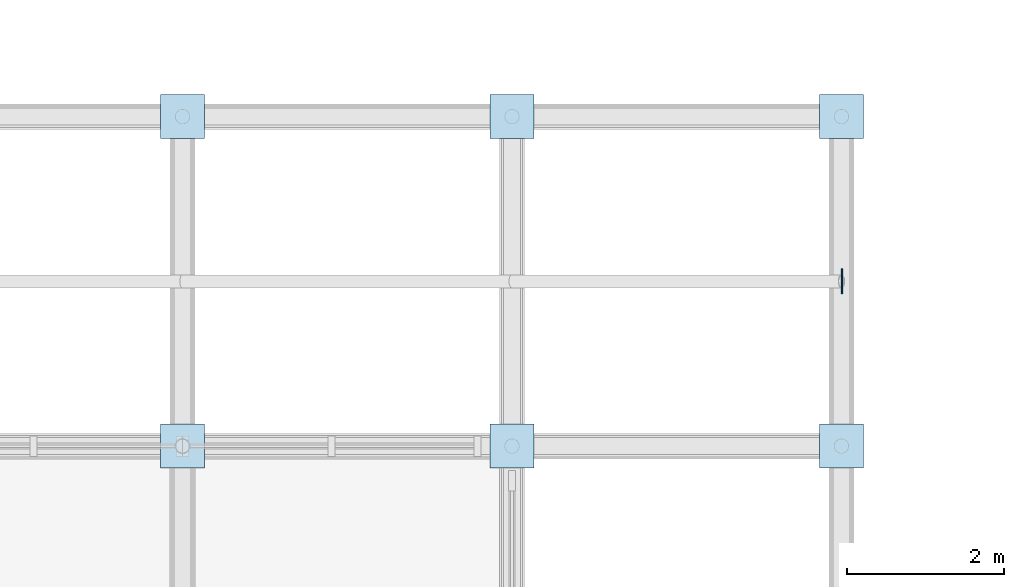
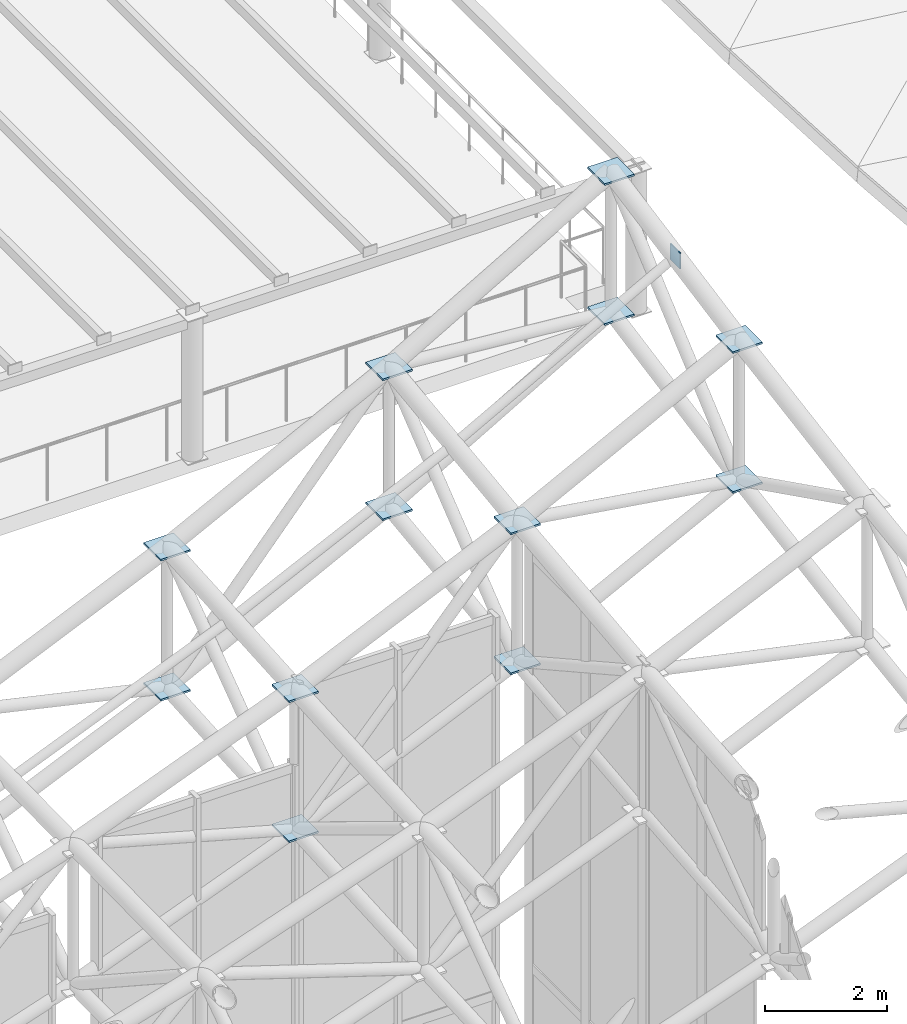
# One storey, part 75 of 93: 13 plates.
"""IFC4 building model written with IfcOpenShell, lengths in metres."""

from ifc_helpers import new_model, si_unit, direction, frame, origin, origin_2d, place, context, subcontext, project, spatial, rectangle, extrude, material, layer, layer_set, type_object, element, save


model = new_model("IFC4")

# Units and contexts
model_context = context("Model", 3, precision=1e-05, world=origin(), true_north=direction((0.0, 1.0)))
body_context = subcontext(model_context, "Body", "Model", "MODEL_VIEW")
ifc_project = project(units=[si_unit("LENGTHUNIT", "METRE"), si_unit("AREAUNIT", "SQUARE_METRE"), si_unit("VOLUMEUNIT", "CUBIC_METRE"), si_unit("PLANEANGLEUNIT", "RADIAN"), si_unit("MASSUNIT", "GRAM", prefix="KILO")], contexts=[model_context])

# Site, building, storey
site_placement = place(None, origin())
site = spatial("IfcSite", under=ifc_project, at=site_placement, CompositionType="ELEMENT")
building_placement = place(site_placement, origin())
building = spatial("IfcBuilding", under=site, at=building_placement, Name="Cumbredor Promenade Congress Hotel", CompositionType="ELEMENT")
storey_placement = place(building_placement, frame((0.0, 0.0, 21.840087890625)))
storey = spatial("IfcBuildingStorey", under=building, at=storey_placement, Name="L06", CompositionType="ELEMENT", Elevation=21.840087890625)

# Plates
ifc_material = material(Name="Steel ASTM A572 Grade 50", Category="steel")
ifc_layer_1 = layer(ifc_material, 0.02001953125, Name="Steel ASTM A572 Grade 50", Category="steel")
ifc_layer_set_1 = layer_set([ifc_layer_1], Name="Steel ASTM A572 Grade 50")
plate_type_1 = type_object("IfcPlateType", Name="Hollow Section End Cap Plate CP-05", PredefinedType="USERDEFINED", material=ifc_layer_set_1)
plate_placement = place(storey_placement, frame((71.406982421875, 69.300048828125, 19.31640625), z_axis=(0.0, 0.0, 1.0), x_axis=(1.0, 0.0, 0.0)))
element("IfcPlate", 1, at=plate_placement, inside=storey, type_object=plate_type_1, Name="Plenary Congress Hall Roof Eave Purlin 18.17 End Cap Plate", ObjectType="CAP PLATE", PredefinedType="USERDEFINED", context=body_context, shape_type="SweptSolid", body=[
    extrude(rectangle(XDim=0.02001953125, YDim=0.320068359375, at=origin_2d()), origin(), (0.0, 0.0, 1.0), 0.320068359375),
])
ifc_layer_2 = layer(ifc_material, 0.035888671875, Name="Steel ASTM A572 Grade 50", Category="steel")
ifc_layer_set_2 = layer_set([ifc_layer_2], Name="Steel ASTM A572 Grade 50")
plate_type_2 = type_object("IfcPlateType", Name="Space Frame Node Assembly ND-01", PredefinedType="USERDEFINED", material=ifc_layer_set_2)
for number, where, z_axis, x_axis, name in (
    (2, (63.0, 67.199951171875, 15.0224609375), (0.0, 0.0, 1.0), (1.0, 0.0, 0.0), "Plenary Congress Hall Space Frame Top Node 17.17"),
    (3, (63.0, 67.199951171875, 12.22216796875), (0.0, 0.0, 1.0), (1.0, 0.0, 0.0), "Plenary Congress Hall Space Frame Bottom Node 17.17"),
    (4, (63.0, 71.39990234375, 15.30810546875), (0.0, 0.0, 1.0), (1.0, 0.0, 0.0), "Plenary Congress Hall Space Frame Top Node 17.18"),
    (5, (63.0, 71.39990234375, 12.5078125), (0.0, 0.0, 1.0), (1.0, 0.0, 0.0), "Plenary Congress Hall Space Frame Bottom Node 17.18"),
    (6, (67.199951171875, 67.199951171875, 16.91064453125), (0.0, 0.0, 1.0), (1.0, 0.0, 0.0), "Plenary Congress Hall Space Frame Top Node 18.17"),
    (7, (67.199951171875, 67.199951171875, 14.11083984375), (0.0, 0.0, 1.0), (1.0, 0.0, 0.0), "Plenary Congress Hall Space Frame Bottom Node 18.17"),
    (8, (67.199951171875, 71.39990234375, 17.44677734375), (0.0, 0.0, 1.0), (1.0, 0.0, 0.0), "Plenary Congress Hall Space Frame Top Node 18.18"),
    (9, (67.199951171875, 71.39990234375, 14.646484375), (0.0, 0.0, 1.0), (1.0, 0.0, 0.0), "Plenary Congress Hall Space Frame Bottom Node 18.18"),
    (10, (71.39990234375, 67.199951171875, 19.0673828125), (0.0, 0.0, 1.0), (1.0, 0.0, 0.0), "Plenary Congress Hall Space Frame Top Node 19.17"),
    (11, (71.39990234375, 67.199951171875, 16.267578125), (0.0, 0.0, 1.0), (1.0, 0.0, 0.0), "Plenary Congress Hall Space Frame Bottom Node 19.17"),
    (12, (71.39990234375, 71.39990234375, 19.88134765625), (0.0, 0.0, 1.0), (1.0, 0.0, 0.0), "Plenary Congress Hall Space Frame Top Node 19.18"),
    (13, (71.39990234375, 71.39990234375, 17.08154296875), (0.0, 0.0, 1.0), (1.0, 0.0, 0.0), "Plenary Congress Hall Space Frame Bottom Node 19.18"),
):
    element("IfcPlate", number, at=place(storey_placement, frame(where, z_axis=z_axis, x_axis=x_axis)), inside=storey, type_object=plate_type_2, Name=name, ObjectType="GUSSET PLATE", PredefinedType="USERDEFINED", context=body_context, shape_type="SweptSolid", body=[
        extrude(rectangle(XDim=0.56005859375, YDim=0.56005859375, at=origin_2d()), origin(), (0.0, 0.0, 1.0), 0.035888671875),
    ])

save(model, "model.ifc")
